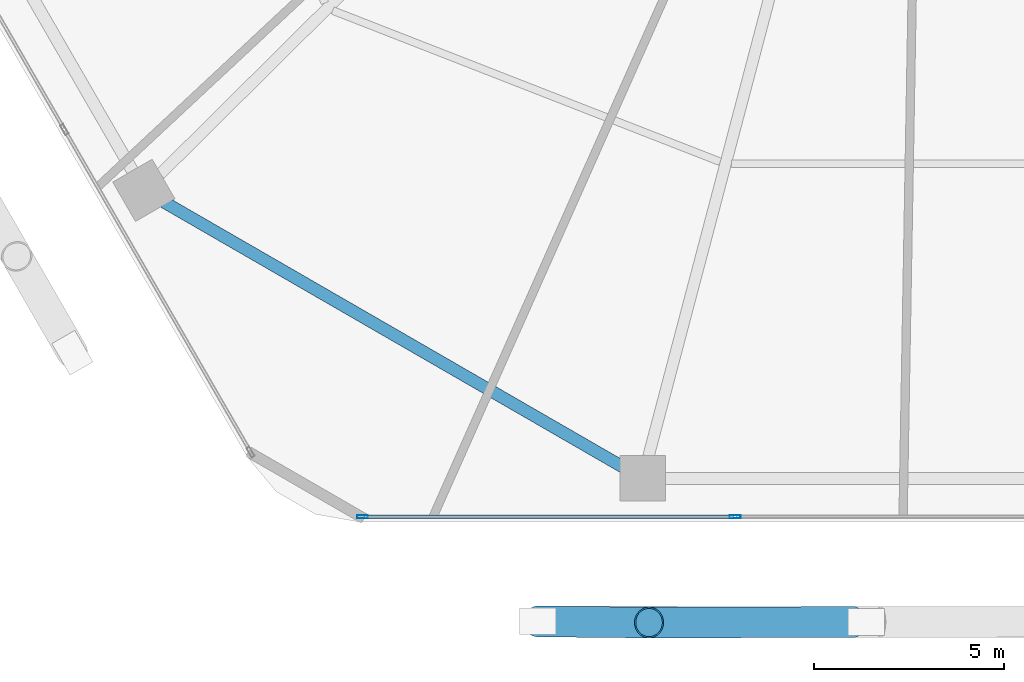
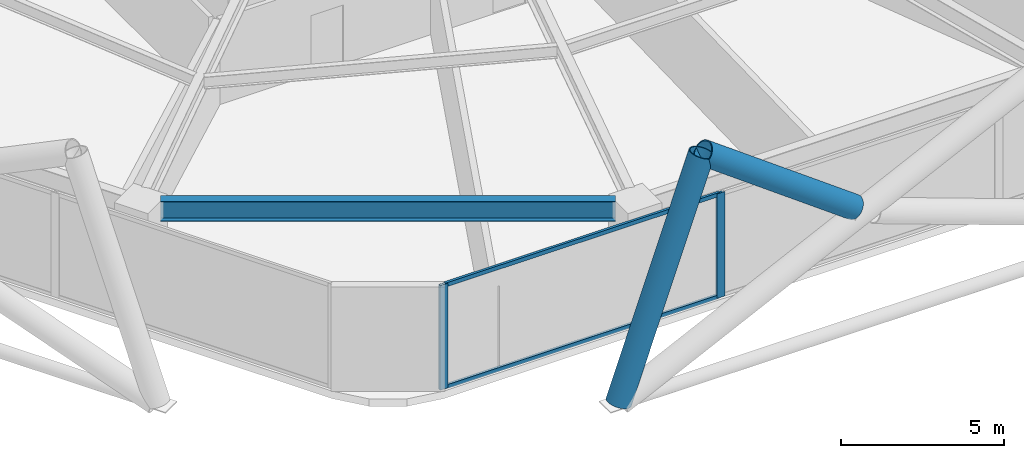
# One storey, part 3 of 28: 6 members, 1 beam, 1 element without a shape of its own.
"""IFC4 building model written with IfcOpenShell, lengths in metres."""

from ifc_helpers import new_model, si_unit, direction, frame, origin, origin_2d, place, context, subcontext, project, spatial, hollow_rectangle, hollow_circle, i_section, extrude, material, material_profile, profile_set, type_object, element, aggregate, save


model = new_model("IFC4")

# Units and contexts
model_context = context("Model", 3, precision=1e-05, world=origin(), true_north=direction((0.0, 1.0)))
body_context = subcontext(model_context, "Body", "Model", "MODEL_VIEW")
ifc_project = project(units=[si_unit("LENGTHUNIT", "METRE"), si_unit("AREAUNIT", "SQUARE_METRE"), si_unit("VOLUMEUNIT", "CUBIC_METRE"), si_unit("PLANEANGLEUNIT", "RADIAN"), si_unit("MASSUNIT", "GRAM", prefix="KILO")], contexts=[model_context])

# Site, building, storey
site_placement = place(None, origin())
site = spatial("IfcSite", under=ifc_project, at=site_placement, CompositionType="ELEMENT")
building_placement = place(site_placement, origin())
building = spatial("IfcBuilding", under=site, at=building_placement, Name="Zuhravey Tower", CompositionType="ELEMENT")
storey_placement = place(building_placement, frame((0.0, 0.0, 75.0)))
storey = spatial("IfcBuildingStorey", under=building, at=storey_placement, Name="L18", CompositionType="ELEMENT", Elevation=75.0)

# Curtain wall, members
ifc_material_1 = material(Name="Thermally broken anodised aluminium", Category="aluminium")
curtain_wall_type = type_object("IfcCurtainWallType", Name="School Low-E Unitised Curtain Wall CW1", PredefinedType="NOTDEFINED", material=ifc_material_1)
curtain_wall_placement = place(storey_placement, origin())
curtain_wall = element("IfcCurtainWall", 1, at=curtain_wall_placement, inside=storey, type_object=curtain_wall_type, Name="L18 CW1 CW-L18-F5-1", PredefinedType="NOTDEFINED")
ifc_material_2 = material(Name="Anodised aluminium", Category="aluminium")
ifc_material_profile_1 = material_profile(ifc_material_2, hollow_rectangle(XDim=0.090087890625, YDim=0.284912109375, WallThickness=0.0048828125, at=origin_2d()), Name="ALU-RHS-90x285x5")
ifc_profile_set_1 = profile_set([ifc_material_profile_1], Name="Anodised aluminium")
member_type_1 = type_object("IfcMemberType", Name="Curtain-Wall Mullion 90x180", PredefinedType="MULLION", material=ifc_profile_set_1)
member_1_placement = place(storey_placement, frame((31.06689453125, 3.04150390625, 0.0), z_axis=(0.0, 0.0, 1.0), x_axis=(0.0, -1.0, 0.0)))
member_1 = element("IfcMember", 2, at=member_1_placement, type_object=member_type_1, Name="CW1 mullion 3", PredefinedType="MULLION", context=body_context, shape_type="SweptSolid", body=[
    extrude(hollow_rectangle(XDim=0.090087890625, YDim=0.284912109375, WallThickness=0.0048828125, at=origin_2d()), origin(), (0.0, 0.0, 1.0), 3.919921875),
])
member_2_placement = place(storey_placement, frame((21.24560546875, 3.04150390625, 0.0), z_axis=(0.0, 0.0, 1.0), x_axis=(0.0, -1.0, 0.0)))
member_2 = element("IfcMember", 3, at=member_2_placement, type_object=member_type_1, Name="CW1 mullion 4", PredefinedType="MULLION", context=body_context, shape_type="SweptSolid", body=[
    extrude(hollow_rectangle(XDim=0.090087890625, YDim=0.284912109375, WallThickness=0.0048828125, at=origin_2d()), origin(), (0.0, 0.0, 1.0), 3.919921875),
])
ifc_material_profile_2 = material_profile(ifc_material_2, hollow_rectangle(XDim=0.090087890625, YDim=0.14990234375, WallThickness=0.0048828125, at=origin_2d()), Name="ALU-RHS-90x150x5")
ifc_profile_set_2 = profile_set([ifc_material_profile_2], Name="Anodised aluminium")
member_type_2 = type_object("IfcMemberType", Name="Curtain-Wall Transom 90x150", PredefinedType="USERDEFINED", material=ifc_profile_set_2)
member_3_placement = place(storey_placement, frame((31.021728515625, 3.04150390625, 0.044921875), z_axis=(-1.0, 0.0, 0.0), x_axis=(0.0, -1.0, 0.0)))
member_3 = element("IfcMember", 4, at=member_3_placement, type_object=member_type_2, Name="CW1 transom 3.1", ObjectType="TRANSOM", PredefinedType="USERDEFINED", context=body_context, shape_type="SweptSolid", body=[
    extrude(hollow_rectangle(XDim=0.090087890625, YDim=0.14990234375, WallThickness=0.0048828125, at=origin_2d()), origin(), (0.0, 0.0, 1.0), 9.731201171875),
])
member_4_placement = place(storey_placement, frame((31.021728515625, 3.04150390625, 3.875), z_axis=(-1.0, 0.0, 0.0), x_axis=(0.0, -1.0, 0.0)))
member_4 = element("IfcMember", 5, at=member_4_placement, type_object=member_type_2, Name="CW1 transom 3.2", ObjectType="TRANSOM", PredefinedType="USERDEFINED", context=body_context, shape_type="SweptSolid", body=[
    extrude(hollow_rectangle(XDim=0.090087890625, YDim=0.14990234375, WallThickness=0.0048828125, at=origin_2d()), origin(), (0.0, 0.0, 1.0), 9.731201171875),
])
aggregate(curtain_wall, [member_1, member_2, member_3, member_4])

# Members
ifc_material_3 = material(Name="Steel SM460", Category="steel")
ifc_material_profile_3 = material_profile(ifc_material_3, hollow_circle(Radius=0.406494140625, WallThickness=0.035888671875, at=origin_2d()), Name="CHS-812.8x36")
ifc_profile_set_3 = profile_set([ifc_material_profile_3], Name="Steel SM460")
member_type_3 = type_object("IfcMemberType", Name="Exoskeleton Zone 1 Diagrid CHS813x36", PredefinedType="BRACE", material=ifc_profile_set_3)
member_5_placement = place(storey_placement, frame((25.870849609375, 0.281494140625, -0.471923828125), z_axis=(0.330640830992, -0.003391612227, 0.94375056972), x_axis=(0.010257153654, 0.999947394016, 0.0)))
element("IfcMember", 6, at=member_5_placement, inside=storey, type_object=member_type_3, Name="L18 Face 5 Diagrid Brace 1", PredefinedType="BRACE", context=body_context, shape_type="SweptSolid", body=[
    extrude(hollow_circle(Radius=0.406494140625, WallThickness=0.035888671875, at=origin_2d()), origin(), (0.0, 0.0, 1.0), 8.85400390625),
])
member_6_placement = place(storey_placement, frame((34.208740234375, 0.265625, 3.940673828125), z_axis=(-0.806161607872, -0.002092210156, 0.591691714197), x_axis=(0.00259526513, -0.999996632294, 0.0)))
element("IfcMember", 7, at=member_6_placement, inside=storey, type_object=member_type_3, Name="L18 Face 5 Split Diagrid Brace 3B", PredefinedType="BRACE", context=body_context, shape_type="SweptSolid", body=[
    extrude(hollow_circle(Radius=0.406494140625, WallThickness=0.035888671875, at=origin_2d()), origin(), (0.0, 0.0, 1.0), 6.6513671875),
])

# Beam
ifc_material_4 = material(Name="Steel SM355", Category="steel")
ifc_material_profile_4 = material_profile(ifc_material_4, i_section(OverallWidth=0.320068359375, OverallDepth=0.75, WebThickness=0.013916015625, FlangeThickness=0.02490234375, at=origin_2d()), Name="H-750x320x14x25")
ifc_profile_set_4 = profile_set([ifc_material_profile_4], Name="Steel SM355")
beam_type = type_object("IfcBeamType", Name="Perimeter Ring Beam H750x320", PredefinedType="BEAM", material=ifc_profile_set_4)
beam_placement = place(storey_placement, frame((16.003173828125, 11.341552734375, 3.544921875), z_axis=(0.866029969761, -0.499992091414, 0.0), x_axis=(0.499992091414, 0.866029969761, 0.0)))
element("IfcBeam", 8, at=beam_placement, inside=storey, type_object=beam_type, Name="L18 PB1 BM-L18-PB-08", PredefinedType="BEAM", context=body_context, shape_type="SweptSolid", body=[
    extrude(i_section(OverallWidth=0.320068359375, OverallDepth=0.75, WebThickness=0.013916015625, FlangeThickness=0.02490234375, at=origin_2d()), origin(), (0.0, 0.0, 1.0), 13.977294921875),
])

save(model, "model.ifc")
